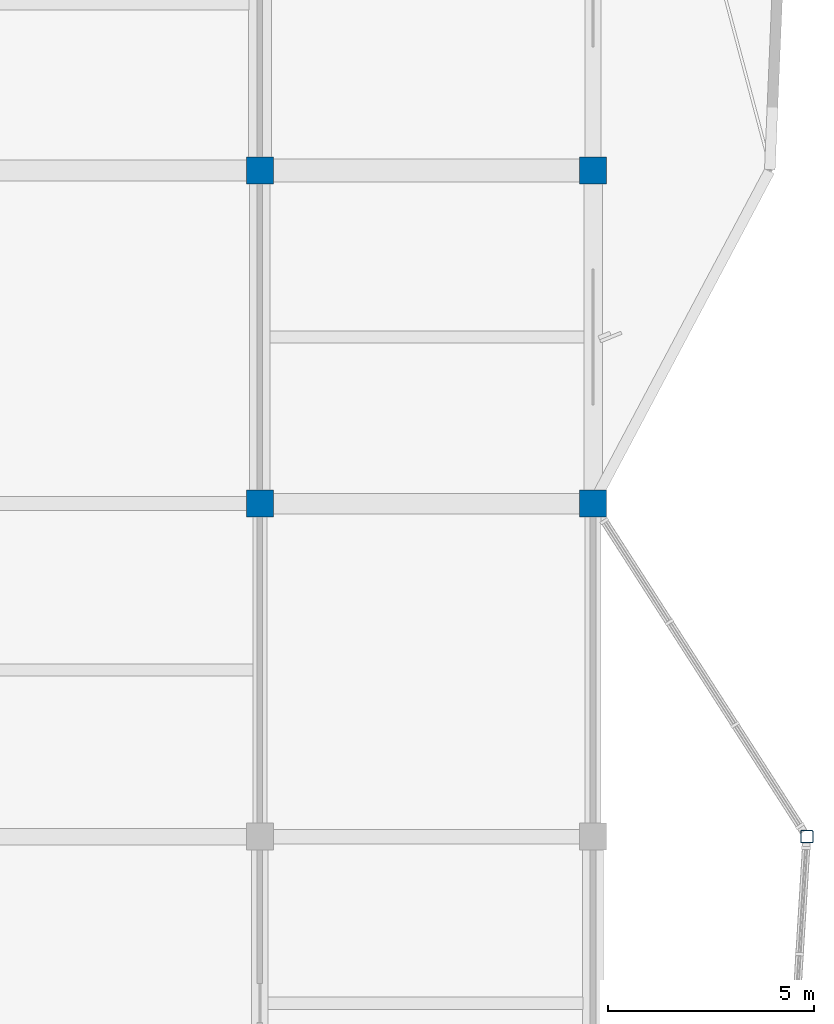
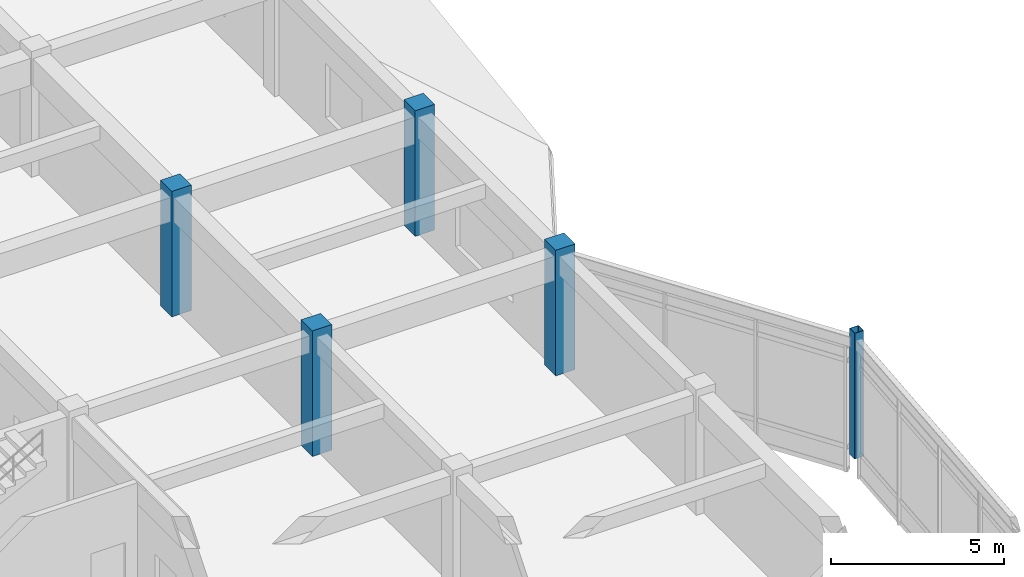
# One storey, part 6 of 40: 5 columns.
"""IFC4 building model written with IfcOpenShell, lengths in metres."""

from ifc_helpers import new_model, si_unit, direction, frame, origin, origin_2d, place, context, subcontext, project, spatial, rectangle, hollow_rectangle, extrude, material, material_profile, profile_set, type_object, element, save


model = new_model("IFC4")

# Units and contexts
model_context = context("Model", 3, precision=1e-05, world=origin(), true_north=direction((0.0, 1.0)))
body_context = subcontext(model_context, "Body", "Model", "MODEL_VIEW")
ifc_project = project(units=[si_unit("LENGTHUNIT", "METRE"), si_unit("AREAUNIT", "SQUARE_METRE"), si_unit("VOLUMEUNIT", "CUBIC_METRE"), si_unit("PLANEANGLEUNIT", "RADIAN"), si_unit("MASSUNIT", "GRAM", prefix="KILO")], contexts=[model_context])

# Site, building, storey
site_placement = place(None, origin())
site = spatial("IfcSite", under=ifc_project, at=site_placement, CompositionType="ELEMENT")
building_placement = place(site_placement, origin())
building = spatial("IfcBuilding", under=site, at=building_placement, Name="Vaudrelin Polytechnic", CompositionType="ELEMENT")
storey_placement = place(building_placement, frame((0.0, 0.0, 22.949951171875)))
storey = spatial("IfcBuildingStorey", under=building, at=storey_placement, Name="L05", CompositionType="ELEMENT", Elevation=22.949951171875)

# Columns
ifc_material_1 = material(Name="Steel CSA G40.21 350WT", Category="steel")
ifc_material_profile_1 = material_profile(ifc_material_1, hollow_rectangle(XDim=0.304931640625, YDim=0.304931640625, WallThickness=0.0126953125, InnerFilletRadius=0.0126953125, OuterFilletRadius=0.025390625, at=origin_2d()), Name="HSS305x305x12.7")
ifc_profile_set_1 = profile_set([ifc_material_profile_1], Name="Steel CSA G40.21 350WT")
column_type_1 = type_object("IfcColumnType", Name="COL-C-HSS305", PredefinedType="COLUMN", material=ifc_profile_set_1)
column_placement = place(storey_placement, frame((175.300048828125, 89.10009765625, 0.0), z_axis=(0.0, 0.0, 1.0), x_axis=(1.0, 0.0, 0.0)))
element("IfcColumn", 1, at=column_placement, inside=storey, type_object=column_type_1, Name="Deconstructivist column L05 E_OR2_2", PredefinedType="COLUMN", context=body_context, shape_type="SweptSolid", body=[
    extrude(hollow_rectangle(XDim=0.304931640625, YDim=0.304931640625, WallThickness=0.0126953125, InnerFilletRadius=0.0126953125, OuterFilletRadius=0.025390625, at=origin_2d()), origin(), (0.0, 0.0, 1.0), 4.420166015625),
])
ifc_material_2 = material(Name="Concrete 40 MPa", Category="concrete")
ifc_material_profile_2 = material_profile(ifc_material_2, rectangle(XDim=0.64990234375, YDim=0.64990234375, at=origin_2d()), Name="RC650x650")
ifc_profile_set_2 = profile_set([ifc_material_profile_2], Name="Concrete 40 MPa")
column_type_2 = type_object("IfcColumnType", Name="COL-C-RC650", PredefinedType="COLUMN", material=ifc_profile_set_2)
for number, where, z_axis, x_axis, name in (
    (2, (162.0, 97.199951171875, 0.0), (0.0, 0.0, 1.0), (1.0, 0.0, 0.0), "Column L05 21-13"),
    (3, (162.0, 105.300048828125, 0.0), (0.0, 0.0, 1.0), (1.0, 0.0, 0.0), "Column L05 21-14"),
    (4, (170.10009765625, 97.199951171875, 0.0), (0.0, 0.0, 1.0), (1.0, 0.0, 0.0), "Column L05 22-13"),
    (5, (170.10009765625, 105.300048828125, 0.0), (0.0, 0.0, 1.0), (1.0, 0.0, 0.0), "Column L05 22-14"),
):
    element("IfcColumn", number, at=place(storey_placement, frame(where, z_axis=z_axis, x_axis=x_axis)), inside=storey, type_object=column_type_2, Name=name, PredefinedType="COLUMN", context=body_context, shape_type="SweptSolid", body=[
        extrude(rectangle(XDim=0.64990234375, YDim=0.64990234375, at=origin_2d()), origin(), (0.0, 0.0, 1.0), 4.420166015625),
    ])

save(model, "model.ifc")
